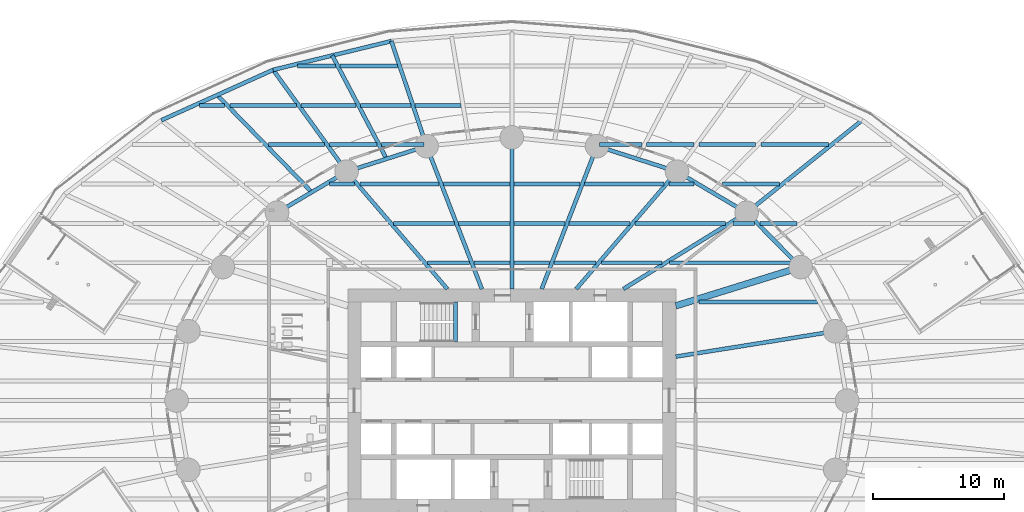
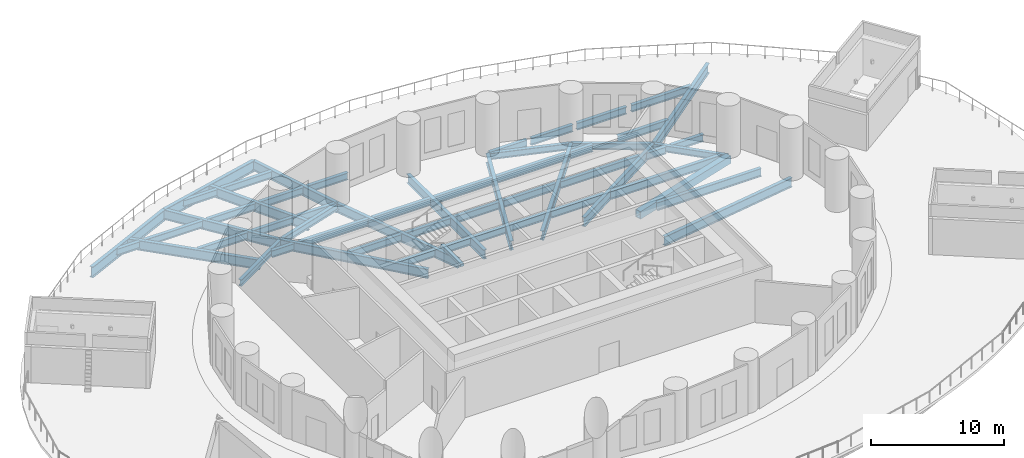
# One storey, part 4 of 17: 56 beams.
"""IFC4 building model written with IfcOpenShell, lengths in metres."""

from ifc_helpers import new_model, si_unit, direction, frame, origin, origin_2d, place, context, subcontext, project, spatial, rectangle, hollow_rectangle, i_section, extrude, material, material_profile, profile_set, type_object, element, save


model = new_model("IFC4")

# Units and contexts
model_context = context("Model", 3, precision=1e-05, world=origin(), true_north=direction((0.0, 1.0)))
body_context = subcontext(model_context, "Body", "Model", "MODEL_VIEW")
ifc_project = project(units=[si_unit("LENGTHUNIT", "METRE"), si_unit("AREAUNIT", "SQUARE_METRE"), si_unit("VOLUMEUNIT", "CUBIC_METRE"), si_unit("PLANEANGLEUNIT", "RADIAN"), si_unit("MASSUNIT", "GRAM", prefix="KILO")], contexts=[model_context])

# Site, building, storey
site_placement = place(None, origin())
site = spatial("IfcSite", under=ifc_project, at=site_placement, CompositionType="ELEMENT")
building_placement = place(site_placement, origin())
building = spatial("IfcBuilding", under=site, at=building_placement, Name="Hankou Lantern Tower", CompositionType="ELEMENT")
storey_placement = place(building_placement, frame((0.0, 0.0, 24.60009765625)))
storey = spatial("IfcBuildingStorey", under=building, at=storey_placement, Name="L04", CompositionType="ELEMENT", Elevation=24.60009765625)

# Beams
ifc_material_1 = material(Name="Steel Q355B", Category="steel")
ifc_material_profile_1 = material_profile(ifc_material_1, i_section(OverallWidth=0.300048828125, OverallDepth=0.587890625, WebThickness=0.011962890625, FlangeThickness=0.02001953125, FilletRadius=0.01806640625, at=origin_2d()), Name="HM588x300x12x20")
ifc_profile_set_1 = profile_set([ifc_material_profile_1], Name="Steel Q355B")
beam_type_1 = type_object("IfcBeamType", Name="EB16 RING BEAM HM588x300x12x20", PredefinedType="SPANDREL", material=ifc_profile_set_1)
beam_1_placement = place(storey_placement, frame((22.01904296875, 10.170166015625, -0.544189453125), z_axis=(-0.705727798394, 0.708483079949, 0.0), x_axis=(-0.708483079949, -0.705727798394, 0.0)))
element("IfcBeam", 1, at=beam_1_placement, inside=storey, type_object=beam_type_1, Name="Ring beam R03-R04 L04", PredefinedType="SPANDREL", context=body_context, shape_type="SweptSolid", body=[
    extrude(i_section(OverallWidth=0.300048828125, OverallDepth=0.587890625, WebThickness=0.011962890625, FlangeThickness=0.02001953125, FilletRadius=0.01806640625, at=origin_2d()), origin(), (0.0, 0.0, 1.0), 5.84814453125),
])
beam_2_placement = place(storey_placement, frame((17.891845703125, 14.3134765625, -0.544189453125), z_axis=(-0.860881533543, 0.508805449268, 0.0), x_axis=(-0.508805449268, -0.860881533543, 0.0)))
element("IfcBeam", 2, at=beam_2_placement, inside=storey, type_object=beam_type_1, Name="Ring beam R04-R05 L04", PredefinedType="SPANDREL", context=body_context, shape_type="SweptSolid", body=[
    extrude(i_section(OverallWidth=0.300048828125, OverallDepth=0.587890625, WebThickness=0.011962890625, FlangeThickness=0.02001953125, FilletRadius=0.01806640625, at=origin_2d()), origin(), (0.0, 0.0, 1.0), 6.15771484375),
])
for number, where, z_axis, x_axis, name in (
    (3, (12.5908203125, 17.446533203125, -0.544189453125), (-0.952690479428, 0.303942182671, 0.0), (-0.303942182671, -0.952690479428, 0.0), "Ring beam R05-R06 L04"),
    (4, (-6.494873046875, 19.391357421875, -0.544189453125), (-0.952690479428, -0.303942182671, 0.0), (0.303942182671, -0.952690479428, 0.0), "Ring beam R08-R09 L04"),
):
    element("IfcBeam", number, at=place(storey_placement, frame(where, z_axis=z_axis, x_axis=x_axis)), inside=storey, type_object=beam_type_1, Name=name, PredefinedType="SPANDREL", context=body_context, shape_type="SweptSolid", body=[
        extrude(i_section(OverallWidth=0.300048828125, OverallDepth=0.587890625, WebThickness=0.011962890625, FlangeThickness=0.02001953125, FilletRadius=0.01806640625, at=origin_2d()), origin(), (0.0, 0.0, 1.0), 6.398681640625),
    ])
beam_3_placement = place(storey_placement, frame((-12.5908203125, 17.446533203125, -0.544189453125), z_axis=(-0.860881533543, -0.508805449268, 0.0), x_axis=(0.508805449268, -0.860881533543, 0.0)))
element("IfcBeam", 5, at=beam_3_placement, inside=storey, type_object=beam_type_1, Name="Ring beam R09-R10 L04", PredefinedType="SPANDREL", context=body_context, shape_type="SweptSolid", body=[
    extrude(i_section(OverallWidth=0.300048828125, OverallDepth=0.587890625, WebThickness=0.011962890625, FlangeThickness=0.02001953125, FilletRadius=0.01806640625, at=origin_2d()), origin(), (0.0, 0.0, 1.0), 6.15771484375),
])
ifc_material_2 = material(Name="Concrete C40", Category="concrete")
ifc_material_profile_2 = material_profile(ifc_material_2, rectangle(XDim=0.300048828125, YDim=0.25, at=origin_2d()), Name="RC 300x250")
ifc_profile_set_2 = profile_set([ifc_material_profile_2], Name="Concrete C40")
beam_type_2 = type_object("IfcBeamType", Name="LB1 STAIR LANDING BEAM RC 300x250", PredefinedType="BEAM", material=ifc_profile_set_2)
beam_4_placement = place(storey_placement, frame((-4.300048828125, 4.5, 2.27490234375), z_axis=(0.0, 1.0, 0.0), x_axis=(-1.0, 0.0, 0.0)))
element("IfcBeam", 6, at=beam_4_placement, inside=storey, type_object=beam_type_2, Name="Stair STA landing beam L04", PredefinedType="BEAM", context=body_context, shape_type="SweptSolid", body=[
    extrude(rectangle(XDim=0.300048828125, YDim=0.25, at=origin_2d()), origin(), (0.0, 0.0, 1.0), 3.0),
])
ifc_material_3 = material(Name="Steel Q355B", Category="steel")
ifc_material_profile_3 = material_profile(ifc_material_3, i_section(OverallWidth=0.300048828125, OverallDepth=0.89990234375, WebThickness=0.01611328125, FlangeThickness=0.028076171875, FilletRadius=0.01806640625, at=origin_2d()), Name="HN900x300x16x28")
ifc_profile_set_3 = profile_set([ifc_material_profile_3], Name="Steel Q355B")
beam_type_3 = type_object("IfcBeamType", Name="PB13 PODIUM RADIAL BEAM HN900x300x16x28", PredefinedType="BEAM", material=ifc_profile_set_3)
beam_5_placement = place(storey_placement, frame((17.891845703125, 14.3134765625, -0.7001953125), z_axis=(0.780875142676, 0.624687130931, 0.0), x_axis=(-0.624687130931, 0.780875142676, 0.0)))
element("IfcBeam", 7, at=beam_5_placement, inside=storey, type_object=beam_type_3, Name="Podium radial beam R04 L04", PredefinedType="BEAM", context=body_context, shape_type="SweptSolid", body=[
    extrude(i_section(OverallWidth=0.300048828125, OverallDepth=0.89990234375, WebThickness=0.01611328125, FlangeThickness=0.028076171875, FilletRadius=0.01806640625, at=origin_2d()), origin(), (0.0, 0.0, 1.0), 11.28271484375),
])
beam_6_placement = place(storey_placement, frame((-6.494873046875, 19.391357421875, -0.7001953125), z_axis=(-0.317599116391, 0.948225079434, 0.0), x_axis=(-0.948225079434, -0.317599116391, 0.0)))
element("IfcBeam", 8, at=beam_6_placement, inside=storey, type_object=beam_type_3, Name="Podium radial beam R08 L04", PredefinedType="BEAM", context=body_context, shape_type="SweptSolid", body=[
    extrude(i_section(OverallWidth=0.300048828125, OverallDepth=0.89990234375, WebThickness=0.01611328125, FlangeThickness=0.028076171875, FilletRadius=0.01806640625, at=origin_2d()), origin(), (0.0, 0.0, 1.0), 8.4365234375),
])
beam_7_placement = place(storey_placement, frame((-12.5908203125, 17.446533203125, -0.7001953125), z_axis=(-0.585207097055, 0.810883871807, 0.0), x_axis=(-0.810883871807, -0.585207097055, 0.0)))
element("IfcBeam", 9, at=beam_7_placement, inside=storey, type_object=beam_type_3, Name="Podium radial beam R09 L04", PredefinedType="BEAM", context=body_context, shape_type="SweptSolid", body=[
    extrude(i_section(OverallWidth=0.300048828125, OverallDepth=0.89990234375, WebThickness=0.01611328125, FlangeThickness=0.028076171875, FilletRadius=0.01806640625, at=origin_2d()), origin(), (0.0, 0.0, 1.0), 9.56103515625),
])
ifc_material_4 = material(Name="Steel Q355B", Category="steel")
ifc_material_profile_4 = material_profile(ifc_material_4, i_section(OverallWidth=0.300048828125, OverallDepth=1.0, WebThickness=0.01904296875, FlangeThickness=0.035888671875, FilletRadius=0.01806640625, at=origin_2d()), Name="HN1000x300x19x36")
ifc_profile_set_4 = profile_set([ifc_material_profile_4], Name="Steel Q355B")
beam_type_4 = type_object("IfcBeamType", Name="PR22 PODIUM RING BEAM HN1000x300x19x36", PredefinedType="BEAM", material=ifc_profile_set_4)
beam_8_placement = place(storey_placement, frame((-9.17431640625, 27.39111328125, -0.75), z_axis=(-0.971677242441, -0.23631194748, 0.0), x_axis=(0.23631194748, -0.971677242441, 0.0)))
element("IfcBeam", 10, at=beam_8_placement, inside=storey, type_object=beam_type_4, Name="Podium ring beam R08-R09 L04", PredefinedType="BEAM", context=body_context, shape_type="SweptSolid", body=[
    extrude(i_section(OverallWidth=0.300048828125, OverallDepth=1.0, WebThickness=0.01904296875, FlangeThickness=0.035888671875, FilletRadius=0.01806640625, at=origin_2d()), origin(), (0.0, 0.0, 1.0), 9.2744140625),
])
beam_9_placement = place(storey_placement, frame((-18.18603515625, 25.199462890625, -0.75), z_axis=(-0.911695429723, -0.410866697874, 0.0), x_axis=(0.410866697874, -0.911695429723, 0.0)))
element("IfcBeam", 11, at=beam_9_placement, inside=storey, type_object=beam_type_4, Name="Podium ring beam R09-R10 L04", PredefinedType="BEAM", context=body_context, shape_type="SweptSolid", body=[
    extrude(i_section(OverallWidth=0.300048828125, OverallDepth=1.0, WebThickness=0.01904296875, FlangeThickness=0.035888671875, FilletRadius=0.01806640625, at=origin_2d()), origin(), (0.0, 0.0, 1.0), 9.341064453125),
])
ifc_material_5 = material(Name="Steel Q355B", Category="steel")
ifc_material_profile_5 = material_profile(ifc_material_5, i_section(OverallWidth=0.300048828125, OverallDepth=0.89990234375, WebThickness=0.01611328125, FlangeThickness=0.028076171875, FilletRadius=0.01806640625, at=origin_2d()), Name="HN900x300x16x28")
ifc_profile_set_5 = profile_set([ifc_material_profile_5], Name="Steel Q355B")
beam_type_5 = type_object("IfcBeamType", Name="PS13 PODIUM SECONDARY BEAM HN900x300x16x28", PredefinedType="JOIST", material=ifc_profile_set_5)
beam_10_placement = place(storey_placement, frame((-9.54296875, 18.4189453125, -0.7001953125), z_axis=(-0.465026961303, 0.88529651827, 0.0), x_axis=(-0.88529651827, -0.465026961303, 0.0)))
element("IfcBeam", 12, at=beam_10_placement, inside=storey, type_object=beam_type_5, Name="Podium secondary beam bay R08 L04", PredefinedType="JOIST", context=body_context, shape_type="SweptSolid", body=[
    extrude(i_section(OverallWidth=0.300048828125, OverallDepth=0.89990234375, WebThickness=0.01611328125, FlangeThickness=0.028076171875, FilletRadius=0.01806640625, at=origin_2d()), origin(), (0.0, 0.0, 1.0), 8.896728515625),
])
beam_11_placement = place(storey_placement, frame((-15.2412109375, 15.8798828125, -0.7001953125), z_axis=(-0.697467529957, 0.716616385981, 0.0), x_axis=(-0.716616385981, -0.697467529957, 0.0)))
element("IfcBeam", 13, at=beam_11_placement, inside=storey, type_object=beam_type_5, Name="Podium secondary beam bay R09 L04", PredefinedType="JOIST", context=body_context, shape_type="SweptSolid", body=[
    extrude(i_section(OverallWidth=0.300048828125, OverallDepth=0.89990234375, WebThickness=0.01611328125, FlangeThickness=0.028076171875, FilletRadius=0.01806640625, at=origin_2d()), origin(), (0.0, 0.0, 1.0), 10.3271484375),
])
ifc_material_6 = material(Name="Steel Q355B", Category="steel")
ifc_material_profile_6 = material_profile(ifc_material_6, i_section(OverallWidth=0.300048828125, OverallDepth=0.85009765625, WebThickness=0.01611328125, FlangeThickness=0.027099609375, FilletRadius=0.01806640625, at=origin_2d()), Name="HN850x300x16x27")
ifc_profile_set_6 = profile_set([ifc_material_profile_6], Name="Steel Q355B")
beam_type_6 = type_object("IfcBeamType", Name="RB12 RADIAL BEAM HN850x300x16x27", PredefinedType="BEAM", material=ifc_profile_set_6)
beam_12_placement = place(storey_placement, frame((12.5, 3.349365234375, -0.675048828125), z_axis=(0.987563081343, 0.157223281893, 0.0), x_axis=(-0.157223281893, 0.987563081343, 0.0)))
element("IfcBeam", 14, at=beam_12_placement, inside=storey, type_object=beam_type_6, Name="Radial beam R02 L04", PredefinedType="BEAM", context=body_context, shape_type="SweptSolid", body=[
    extrude(i_section(OverallWidth=0.300048828125, OverallDepth=0.85009765625, WebThickness=0.01611328125, FlangeThickness=0.027099609375, FilletRadius=0.01806640625, at=origin_2d()), origin(), (0.0, 0.0, 1.0), 12.300048828125),
])
beam_13_placement = place(storey_placement, frame((8.5, 8.5, -0.675048828125), z_axis=(0.850286343288, 0.526320372414, 0.0), x_axis=(-0.526320372414, 0.850286343288, 0.0)))
element("IfcBeam", 15, at=beam_13_placement, inside=storey, type_object=beam_type_6, Name="Radial beam R04 L04", PredefinedType="BEAM", context=body_context, shape_type="SweptSolid", body=[
    extrude(i_section(OverallWidth=0.300048828125, OverallDepth=0.85009765625, WebThickness=0.01611328125, FlangeThickness=0.027099609375, FilletRadius=0.01806640625, at=origin_2d()), origin(), (0.0, 0.0, 1.0), 11.04541015625),
])
beam_14_placement = place(storey_placement, frame((4.907470703125, 8.5, -0.675048828125), z_axis=(0.651519061225, 0.758632264579, 0.0), x_axis=(-0.758632264579, 0.651519061225, 0.0)))
element("IfcBeam", 16, at=beam_14_placement, inside=storey, type_object=beam_type_6, Name="Radial beam R05 L04", PredefinedType="BEAM", context=body_context, shape_type="SweptSolid", body=[
    extrude(i_section(OverallWidth=0.300048828125, OverallDepth=0.85009765625, WebThickness=0.01611328125, FlangeThickness=0.027099609375, FilletRadius=0.01806640625, at=origin_2d()), origin(), (0.0, 0.0, 1.0), 11.79296875),
])
beam_15_placement = place(storey_placement, frame((2.277587890625, 8.5, -0.675048828125), z_axis=(0.361089103374, 0.932531318201, 0.0), x_axis=(-0.932531318201, 0.361089103374, 0.0)))
element("IfcBeam", 17, at=beam_15_placement, inside=storey, type_object=beam_type_6, Name="Radial beam R06 L04", PredefinedType="BEAM", context=body_context, shape_type="SweptSolid", body=[
    extrude(i_section(OverallWidth=0.300048828125, OverallDepth=0.85009765625, WebThickness=0.01611328125, FlangeThickness=0.027099609375, FilletRadius=0.01806640625, at=origin_2d()), origin(), (0.0, 0.0, 1.0), 11.679443359375),
])
beam_16_placement = place(storey_placement, frame((0.0, 8.5, -0.675048828125), z_axis=(0.0, 1.0, 0.0), x_axis=(-1.0, 0.0, 0.0)))
element("IfcBeam", 18, at=beam_16_placement, inside=storey, type_object=beam_type_6, Name="Radial beam R07 L04", PredefinedType="BEAM", context=body_context, shape_type="SweptSolid", body=[
    extrude(i_section(OverallWidth=0.300048828125, OverallDepth=0.85009765625, WebThickness=0.01611328125, FlangeThickness=0.027099609375, FilletRadius=0.01806640625, at=origin_2d()), origin(), (0.0, 0.0, 1.0), 11.550048828125),
])
beam_17_placement = place(storey_placement, frame((-2.277587890625, 8.5, -0.675048828125), z_axis=(-0.361089103374, 0.932531318201, 0.0), x_axis=(-0.932531318201, -0.361089103374, 0.0)))
element("IfcBeam", 19, at=beam_17_placement, inside=storey, type_object=beam_type_6, Name="Radial beam R08 L04", PredefinedType="BEAM", context=body_context, shape_type="SweptSolid", body=[
    extrude(i_section(OverallWidth=0.300048828125, OverallDepth=0.85009765625, WebThickness=0.01611328125, FlangeThickness=0.027099609375, FilletRadius=0.01806640625, at=origin_2d()), origin(), (0.0, 0.0, 1.0), 11.679443359375),
])
beam_18_placement = place(storey_placement, frame((-4.907470703125, 8.5, -0.675048828125), z_axis=(-0.651519061225, 0.758632264579, 0.0), x_axis=(-0.758632264579, -0.651519061225, 0.0)))
element("IfcBeam", 20, at=beam_18_placement, inside=storey, type_object=beam_type_6, Name="Radial beam R09 L04", PredefinedType="BEAM", context=body_context, shape_type="SweptSolid", body=[
    extrude(i_section(OverallWidth=0.300048828125, OverallDepth=0.85009765625, WebThickness=0.01611328125, FlangeThickness=0.027099609375, FilletRadius=0.01806640625, at=origin_2d()), origin(), (0.0, 0.0, 1.0), 11.79296875),
])
ifc_material_7 = material(Name="Steel Q355B", Category="steel")
ifc_material_profile_7 = material_profile(ifc_material_7, hollow_rectangle(XDim=0.5, YDim=0.699951171875, WallThickness=0.0400390625, at=origin_2d()), Name="BOX700x500x40")
ifc_profile_set_7 = profile_set([ifc_material_profile_7], Name="Steel Q355B")
beam_type_7 = type_object("IfcBeamType", Name="RB25 RADIAL BEAM BOX700x500x40", PredefinedType="BEAM", material=ifc_profile_set_7)
beam_19_placement = place(storey_placement, frame((12.5, 7.216796875, -0.60009765625), z_axis=(0.955087327755, 0.29632447817, 0.0), x_axis=(-0.29632447817, 0.955087327755, 0.0)))
element("IfcBeam", 21, at=beam_19_placement, inside=storey, type_object=beam_type_7, Name="Radial beam R03 L04", PredefinedType="BEAM", context=body_context, shape_type="SweptSolid", body=[
    extrude(hollow_rectangle(XDim=0.5, YDim=0.699951171875, WallThickness=0.0400390625, at=origin_2d()), origin(), (0.0, 0.0, 1.0), 9.966552734375),
])
ifc_material_8 = material(Name="Steel Q355B", Category="steel")
ifc_material_profile_8 = material_profile(ifc_material_8, i_section(OverallWidth=0.300048828125, OverallDepth=0.75, WebThickness=0.012939453125, FlangeThickness=0.02392578125, FilletRadius=0.01806640625, at=origin_2d()), Name="HN750x300x13x24")
ifc_profile_set_8 = profile_set([ifc_material_profile_8], Name="Steel Q355B")
beam_type_8 = type_object("IfcBeamType", Name="SB10 SECONDARY BEAM HN750x300x13x24", PredefinedType="JOIST", material=ifc_profile_set_8)
beam_20_placement = place(storey_placement, frame((14.25634765625, 7.5, -0.625), z_axis=(1.0, 0.0, 0.0), x_axis=(0.0, 1.0, 0.0)))
element("IfcBeam", 22, at=beam_20_placement, inside=storey, type_object=beam_type_8, Name="Floor joist J038 L04", PredefinedType="JOIST", context=body_context, shape_type="SweptSolid", body=[
    extrude(i_section(OverallWidth=0.300048828125, OverallDepth=0.75, WebThickness=0.012939453125, FlangeThickness=0.02392578125, FilletRadius=0.01806640625, at=origin_2d()), origin(), (0.0, 0.0, 1.0), 9.0283203125),
])
beam_21_placement = place(storey_placement, frame((12.01611328125, 10.5, -0.625), z_axis=(1.0, 0.0, 0.0), x_axis=(0.0, 1.0, 0.0)))
element("IfcBeam", 23, at=beam_21_placement, inside=storey, type_object=beam_type_8, Name="Floor joist J046 L04", PredefinedType="JOIST", context=body_context, shape_type="SweptSolid", body=[
    extrude(i_section(OverallWidth=0.300048828125, OverallDepth=0.75, WebThickness=0.012939453125, FlangeThickness=0.02392578125, FilletRadius=0.01806640625, at=origin_2d()), origin(), (0.0, 0.0, 1.0), 9.462646484375),
])
ifc_material_9 = material(Name="Steel Q355B", Category="steel")
ifc_material_profile_9 = material_profile(ifc_material_9, i_section(OverallWidth=0.300048828125, OverallDepth=0.64990234375, WebThickness=0.010986328125, FlangeThickness=0.01708984375, FilletRadius=0.01806640625, at=origin_2d()), Name="HN650x300x11x17")
ifc_profile_set_9 = profile_set([ifc_material_profile_9], Name="Steel Q355B")
beam_type_9 = type_object("IfcBeamType", Name="SB8 SECONDARY BEAM HN650x300x11x17", PredefinedType="JOIST", material=ifc_profile_set_9)
beam_22_placement = place(storey_placement, frame((-6.427490234375, 10.5, -0.5751953125), z_axis=(1.0, 0.0, 0.0), x_axis=(0.0, 1.0, 0.0)))
element("IfcBeam", 24, at=beam_22_placement, inside=storey, type_object=beam_type_9, Name="Floor joist J041 L04", PredefinedType="JOIST", context=body_context, shape_type="SweptSolid", body=[
    extrude(i_section(OverallWidth=0.300048828125, OverallDepth=0.64990234375, WebThickness=0.010986328125, FlangeThickness=0.01708984375, FilletRadius=0.01806640625, at=origin_2d()), origin(), (0.0, 0.0, 1.0), 3.214599609375),
])
for number, where, z_axis, x_axis, name in (
    (25, (-2.89111328125, 10.5, -0.5751953125), (1.0, 0.0, 0.0), (0.0, 1.0, 0.0), "Floor joist J042 L04"),
    (26, (0.14990234375, 10.5, -0.5751953125), (1.0, 0.0, 0.0), (0.0, 1.0, 0.0), "Floor joist J043 L04"),
):
    element("IfcBeam", number, at=place(storey_placement, frame(where, z_axis=z_axis, x_axis=x_axis)), inside=storey, type_object=beam_type_9, Name=name, PredefinedType="JOIST", context=body_context, shape_type="SweptSolid", body=[
        extrude(i_section(OverallWidth=0.300048828125, OverallDepth=0.64990234375, WebThickness=0.010986328125, FlangeThickness=0.01708984375, FilletRadius=0.01806640625, at=origin_2d()), origin(), (0.0, 0.0, 1.0), 2.7412109375),
    ])
beam_23_placement = place(storey_placement, frame((3.212890625, 10.5, -0.5751953125), z_axis=(1.0, 0.0, 0.0), x_axis=(0.0, 1.0, 0.0)))
element("IfcBeam", 27, at=beam_23_placement, inside=storey, type_object=beam_type_9, Name="Floor joist J044 L04", PredefinedType="JOIST", context=body_context, shape_type="SweptSolid", body=[
    extrude(i_section(OverallWidth=0.300048828125, OverallDepth=0.64990234375, WebThickness=0.010986328125, FlangeThickness=0.01708984375, FilletRadius=0.01806640625, at=origin_2d()), origin(), (0.0, 0.0, 1.0), 3.214599609375),
])
beam_24_placement = place(storey_placement, frame((6.82275390625, 10.5, -0.5751953125), z_axis=(1.0, 0.0, 0.0), x_axis=(0.0, 1.0, 0.0)))
element("IfcBeam", 28, at=beam_24_placement, inside=storey, type_object=beam_type_9, Name="Floor joist J045 L04", PredefinedType="JOIST", context=body_context, shape_type="SweptSolid", body=[
    extrude(i_section(OverallWidth=0.300048828125, OverallDepth=0.64990234375, WebThickness=0.010986328125, FlangeThickness=0.01708984375, FilletRadius=0.01806640625, at=origin_2d()), origin(), (0.0, 0.0, 1.0), 4.623291015625),
])
beam_25_placement = place(storey_placement, frame((-9.00390625, 13.5, -0.5751953125), z_axis=(1.0, 0.0, 0.0), x_axis=(0.0, 1.0, 0.0)))
element("IfcBeam", 29, at=beam_25_placement, inside=storey, type_object=beam_type_9, Name="Floor joist J049 L04", PredefinedType="JOIST", context=body_context, shape_type="SweptSolid", body=[
    extrude(i_section(OverallWidth=0.300048828125, OverallDepth=0.64990234375, WebThickness=0.010986328125, FlangeThickness=0.01708984375, FilletRadius=0.01806640625, at=origin_2d()), origin(), (0.0, 0.0, 1.0), 4.62939453125),
])
for number, where, z_axis, x_axis, name in (
    (30, (-4.052734375, 13.5, -0.5751953125), (1.0, 0.0, 0.0), (0.0, 1.0, 0.0), "Floor joist J050 L04"),
    (31, (0.14990234375, 13.5, -0.5751953125), (1.0, 0.0, 0.0), (0.0, 1.0, 0.0), "Floor joist J051 L04"),
):
    element("IfcBeam", number, at=place(storey_placement, frame(where, z_axis=z_axis, x_axis=x_axis)), inside=storey, type_object=beam_type_9, Name=name, PredefinedType="JOIST", context=body_context, shape_type="SweptSolid", body=[
        extrude(i_section(OverallWidth=0.300048828125, OverallDepth=0.64990234375, WebThickness=0.010986328125, FlangeThickness=0.01708984375, FilletRadius=0.01806640625, at=origin_2d()), origin(), (0.0, 0.0, 1.0), 3.90283203125),
    ])
beam_26_placement = place(storey_placement, frame((4.37451171875, 13.5, -0.5751953125), z_axis=(1.0, 0.0, 0.0), x_axis=(0.0, 1.0, 0.0)))
element("IfcBeam", 32, at=beam_26_placement, inside=storey, type_object=beam_type_9, Name="Floor joist J052 L04", PredefinedType="JOIST", context=body_context, shape_type="SweptSolid", body=[
    extrude(i_section(OverallWidth=0.300048828125, OverallDepth=0.64990234375, WebThickness=0.010986328125, FlangeThickness=0.01708984375, FilletRadius=0.01806640625, at=origin_2d()), origin(), (0.0, 0.0, 1.0), 4.62939453125),
])
beam_27_placement = place(storey_placement, frame((9.3994140625, 13.5, -0.5751953125), z_axis=(1.0, 0.0, 0.0), x_axis=(0.0, 1.0, 0.0)))
element("IfcBeam", 33, at=beam_27_placement, inside=storey, type_object=beam_type_9, Name="Floor joist J053 L04", PredefinedType="JOIST", context=body_context, shape_type="SweptSolid", body=[
    extrude(i_section(OverallWidth=0.300048828125, OverallDepth=0.64990234375, WebThickness=0.010986328125, FlangeThickness=0.01708984375, FilletRadius=0.01806640625, at=origin_2d()), origin(), (0.0, 0.0, 1.0), 6.893310546875),
])
beam_28_placement = place(storey_placement, frame((16.86279296875, 13.5, -0.5751953125), z_axis=(1.0, 0.0, 0.0), x_axis=(0.0, 1.0, 0.0)))
element("IfcBeam", 34, at=beam_28_placement, inside=storey, type_object=beam_type_9, Name="Floor joist J054 L04", PredefinedType="JOIST", context=body_context, shape_type="SweptSolid", body=[
    extrude(i_section(OverallWidth=0.300048828125, OverallDepth=0.64990234375, WebThickness=0.010986328125, FlangeThickness=0.01708984375, FilletRadius=0.01806640625, at=origin_2d()), origin(), (0.0, 0.0, 1.0), 1.62744140625),
])
beam_29_placement = place(storey_placement, frame((-13.8974609375, 16.5, -0.5751953125), z_axis=(1.0, 0.0, 0.0), x_axis=(0.0, 1.0, 0.0)))
element("IfcBeam", 35, at=beam_29_placement, inside=storey, type_object=beam_type_9, Name="Floor joist J055 L04", PredefinedType="JOIST", context=body_context, shape_type="SweptSolid", body=[
    extrude(i_section(OverallWidth=0.300048828125, OverallDepth=0.64990234375, WebThickness=0.010986328125, FlangeThickness=0.01708984375, FilletRadius=0.01806640625, at=origin_2d()), origin(), (0.0, 0.0, 1.0), 1.921630859375),
])
beam_30_placement = place(storey_placement, frame((-11.580322265625, 16.5, -0.5751953125), z_axis=(1.0, 0.0, 0.0), x_axis=(0.0, 1.0, 0.0)))
element("IfcBeam", 36, at=beam_30_placement, inside=storey, type_object=beam_type_9, Name="Floor joist J056 L04", PredefinedType="JOIST", context=body_context, shape_type="SweptSolid", body=[
    extrude(i_section(OverallWidth=0.300048828125, OverallDepth=0.64990234375, WebThickness=0.010986328125, FlangeThickness=0.01708984375, FilletRadius=0.01806640625, at=origin_2d()), origin(), (0.0, 0.0, 1.0), 6.044189453125),
])
for number, where, z_axis, x_axis, name in (
    (37, (-5.21435546875, 16.5, -0.5751953125), (1.0, 0.0, 0.0), (0.0, 1.0, 0.0), "Floor joist J057 L04"),
    (38, (0.14990234375, 16.5, -0.5751953125), (1.0, 0.0, 0.0), (0.0, 1.0, 0.0), "Floor joist J058 L04"),
):
    element("IfcBeam", number, at=place(storey_placement, frame(where, z_axis=z_axis, x_axis=x_axis)), inside=storey, type_object=beam_type_9, Name=name, PredefinedType="JOIST", context=body_context, shape_type="SweptSolid", body=[
        extrude(i_section(OverallWidth=0.300048828125, OverallDepth=0.64990234375, WebThickness=0.010986328125, FlangeThickness=0.01708984375, FilletRadius=0.01806640625, at=origin_2d()), origin(), (0.0, 0.0, 1.0), 5.064453125),
    ])
beam_31_placement = place(storey_placement, frame((5.5361328125, 16.5, -0.5751953125), z_axis=(1.0, 0.0, 0.0), x_axis=(0.0, 1.0, 0.0)))
element("IfcBeam", 39, at=beam_31_placement, inside=storey, type_object=beam_type_9, Name="Floor joist J059 L04", PredefinedType="JOIST", context=body_context, shape_type="SweptSolid", body=[
    extrude(i_section(OverallWidth=0.300048828125, OverallDepth=0.64990234375, WebThickness=0.010986328125, FlangeThickness=0.01708984375, FilletRadius=0.01806640625, at=origin_2d()), origin(), (0.0, 0.0, 1.0), 6.044189453125),
])
beam_32_placement = place(storey_placement, frame((11.975830078125, 16.5, -0.5751953125), z_axis=(1.0, 0.0, 0.0), x_axis=(0.0, 1.0, 0.0)))
element("IfcBeam", 40, at=beam_32_placement, inside=storey, type_object=beam_type_9, Name="Floor joist J060 L04", PredefinedType="JOIST", context=body_context, shape_type="SweptSolid", body=[
    extrude(i_section(OverallWidth=0.300048828125, OverallDepth=0.64990234375, WebThickness=0.010986328125, FlangeThickness=0.01708984375, FilletRadius=0.01806640625, at=origin_2d()), origin(), (0.0, 0.0, 1.0), 1.921630859375),
])
beam_33_placement = place(storey_placement, frame((18.913818359375, 13.5, -0.5751953125), z_axis=(1.0, 0.0, 0.0), x_axis=(0.0, 1.0, 0.0)))
element("IfcBeam", 41, at=beam_33_placement, inside=storey, type_object=beam_type_9, Name="Floor joist JT066 L04", PredefinedType="JOIST", context=body_context, shape_type="SweptSolid", body=[
    extrude(i_section(OverallWidth=0.300048828125, OverallDepth=0.64990234375, WebThickness=0.010986328125, FlangeThickness=0.01708984375, FilletRadius=0.01806640625, at=origin_2d()), origin(), (0.0, 0.0, 1.0), 2.832275390625),
])
beam_34_placement = place(storey_placement, frame((16.05419921875, 16.5, -0.5751953125), z_axis=(1.0, 0.0, 0.0), x_axis=(0.0, 1.0, 0.0)))
element("IfcBeam", 42, at=beam_34_placement, inside=storey, type_object=beam_type_9, Name="Floor joist JT072 L04", PredefinedType="JOIST", context=body_context, shape_type="SweptSolid", body=[
    extrude(i_section(OverallWidth=0.300048828125, OverallDepth=0.64990234375, WebThickness=0.010986328125, FlangeThickness=0.01708984375, FilletRadius=0.01806640625, at=origin_2d()), origin(), (0.0, 0.0, 1.0), 4.33056640625),
])
beam_35_placement = place(storey_placement, frame((-18.55517578125, 19.5, -0.5751953125), z_axis=(1.0, 0.0, 0.0), x_axis=(0.0, 1.0, 0.0)))
element("IfcBeam", 43, at=beam_35_placement, inside=storey, type_object=beam_type_9, Name="Floor joist JT077 L04", PredefinedType="JOIST", context=body_context, shape_type="SweptSolid", body=[
    extrude(i_section(OverallWidth=0.300048828125, OverallDepth=0.64990234375, WebThickness=0.010986328125, FlangeThickness=0.01708984375, FilletRadius=0.01806640625, at=origin_2d()), origin(), (0.0, 0.0, 1.0), 4.29736328125),
])
beam_36_placement = place(storey_placement, frame((-13.887939453125, 19.5, -0.5751953125), z_axis=(1.0, 0.0, 0.0), x_axis=(0.0, 1.0, 0.0)))
element("IfcBeam", 44, at=beam_36_placement, inside=storey, type_object=beam_type_9, Name="Floor joist JT078 L04", PredefinedType="JOIST", context=body_context, shape_type="SweptSolid", body=[
    extrude(i_section(OverallWidth=0.300048828125, OverallDepth=0.64990234375, WebThickness=0.010986328125, FlangeThickness=0.01708984375, FilletRadius=0.01806640625, at=origin_2d()), origin(), (0.0, 0.0, 1.0), 3.607666015625),
])
for number, where, z_axis, x_axis, name in (
    (45, (-9.94140625, 19.5, -0.5751953125), (1.0, 0.0, 0.0), (0.0, 1.0, 0.0), "Floor joist JT079 L04"),
    (46, (6.689453125, 19.5, -0.5751953125), (1.0, 0.0, 0.0), (0.0, 1.0, 0.0), "Floor joist JT080 L04"),
):
    element("IfcBeam", number, at=place(storey_placement, frame(where, z_axis=z_axis, x_axis=x_axis)), inside=storey, type_object=beam_type_9, Name=name, PredefinedType="JOIST", context=body_context, shape_type="SweptSolid", body=[
        extrude(i_section(OverallWidth=0.300048828125, OverallDepth=0.64990234375, WebThickness=0.010986328125, FlangeThickness=0.01708984375, FilletRadius=0.01806640625, at=origin_2d()), origin(), (0.0, 0.0, 1.0), 3.251953125),
    ])
beam_37_placement = place(storey_placement, frame((10.2802734375, 19.5, -0.5751953125), z_axis=(1.0, 0.0, 0.0), x_axis=(0.0, 1.0, 0.0)))
element("IfcBeam", 47, at=beam_37_placement, inside=storey, type_object=beam_type_9, Name="Floor joist JT081 L04", PredefinedType="JOIST", context=body_context, shape_type="SweptSolid", body=[
    extrude(i_section(OverallWidth=0.300048828125, OverallDepth=0.64990234375, WebThickness=0.010986328125, FlangeThickness=0.01708984375, FilletRadius=0.01806640625, at=origin_2d()), origin(), (0.0, 0.0, 1.0), 3.607666015625),
])
beam_38_placement = place(storey_placement, frame((14.2578125, 19.5, -0.5751953125), z_axis=(1.0, 0.0, 0.0), x_axis=(0.0, 1.0, 0.0)))
element("IfcBeam", 48, at=beam_38_placement, inside=storey, type_object=beam_type_9, Name="Floor joist JT082 L04", PredefinedType="JOIST", context=body_context, shape_type="SweptSolid", body=[
    extrude(i_section(OverallWidth=0.300048828125, OverallDepth=0.64990234375, WebThickness=0.010986328125, FlangeThickness=0.01708984375, FilletRadius=0.01806640625, at=origin_2d()), origin(), (0.0, 0.0, 1.0), 4.29736328125),
])
beam_39_placement = place(storey_placement, frame((18.973876953125, 19.5, -0.5751953125), z_axis=(1.0, 0.0, 0.0), x_axis=(0.0, 1.0, 0.0)))
element("IfcBeam", 49, at=beam_39_placement, inside=storey, type_object=beam_type_9, Name="Floor joist JT083 L04", PredefinedType="JOIST", context=body_context, shape_type="SweptSolid", body=[
    extrude(i_section(OverallWidth=0.300048828125, OverallDepth=0.64990234375, WebThickness=0.010986328125, FlangeThickness=0.01708984375, FilletRadius=0.01806640625, at=origin_2d()), origin(), (0.0, 0.0, 1.0), 5.160888671875),
])
beam_40_placement = place(storey_placement, frame((-23.81103515625, 22.5, -0.5751953125), z_axis=(1.0, 0.0, 0.0), x_axis=(0.0, 1.0, 0.0)))
element("IfcBeam", 50, at=beam_40_placement, inside=storey, type_object=beam_type_9, Name="Floor joist JT085 L04", PredefinedType="JOIST", context=body_context, shape_type="SweptSolid", body=[
    extrude(i_section(OverallWidth=0.300048828125, OverallDepth=0.64990234375, WebThickness=0.010986328125, FlangeThickness=0.01708984375, FilletRadius=0.01806640625, at=origin_2d()), origin(), (0.0, 0.0, 1.0), 1.917236328125),
])
beam_41_placement = place(storey_placement, frame((-21.47509765625, 22.5, -0.5751953125), z_axis=(1.0, 0.0, 0.0), x_axis=(0.0, 1.0, 0.0)))
element("IfcBeam", 51, at=beam_41_placement, inside=storey, type_object=beam_type_9, Name="Floor joist JT086 L04", PredefinedType="JOIST", context=body_context, shape_type="SweptSolid", body=[
    extrude(i_section(OverallWidth=0.300048828125, OverallDepth=0.64990234375, WebThickness=0.010986328125, FlangeThickness=0.01708984375, FilletRadius=0.01806640625, at=origin_2d()), origin(), (0.0, 0.0, 1.0), 5.052001953125),
])
beam_42_placement = place(storey_placement, frame((-16.052978515625, 22.5, -0.5751953125), z_axis=(1.0, 0.0, 0.0), x_axis=(0.0, 1.0, 0.0)))
element("IfcBeam", 52, at=beam_42_placement, inside=storey, type_object=beam_type_9, Name="Floor joist JT087 L04", PredefinedType="JOIST", context=body_context, shape_type="SweptSolid", body=[
    extrude(i_section(OverallWidth=0.300048828125, OverallDepth=0.64990234375, WebThickness=0.010986328125, FlangeThickness=0.01708984375, FilletRadius=0.01806640625, at=origin_2d()), origin(), (0.0, 0.0, 1.0), 4.197021484375),
])
beam_43_placement = place(storey_placement, frame((-11.51708984375, 22.5, -0.5751953125), z_axis=(1.0, 0.0, 0.0), x_axis=(0.0, 1.0, 0.0)))
element("IfcBeam", 53, at=beam_43_placement, inside=storey, type_object=beam_type_9, Name="Floor joist JT088 L04", PredefinedType="JOIST", context=body_context, shape_type="SweptSolid", body=[
    extrude(i_section(OverallWidth=0.300048828125, OverallDepth=0.64990234375, WebThickness=0.010986328125, FlangeThickness=0.01708984375, FilletRadius=0.01806640625, at=origin_2d()), origin(), (0.0, 0.0, 1.0), 3.82275390625),
])
beam_44_placement = place(storey_placement, frame((-7.3779296875, 22.5, -0.5751953125), z_axis=(1.0, 0.0, 0.0), x_axis=(0.0, 1.0, 0.0)))
element("IfcBeam", 54, at=beam_44_placement, inside=storey, type_object=beam_type_9, Name="Floor joist JT089 L04", PredefinedType="JOIST", context=body_context, shape_type="SweptSolid", body=[
    extrude(i_section(OverallWidth=0.300048828125, OverallDepth=0.64990234375, WebThickness=0.010986328125, FlangeThickness=0.01708984375, FilletRadius=0.01806640625, at=origin_2d()), origin(), (0.0, 0.0, 1.0), 3.514404296875),
])
beam_45_placement = place(storey_placement, frame((-16.3154296875, 25.5, -0.5751953125), z_axis=(1.0, 0.0, 0.0), x_axis=(0.0, 1.0, 0.0)))
element("IfcBeam", 55, at=beam_45_placement, inside=storey, type_object=beam_type_9, Name="Floor joist JT097 L04", PredefinedType="JOIST", context=body_context, shape_type="SweptSolid", body=[
    extrude(i_section(OverallWidth=0.300048828125, OverallDepth=0.64990234375, WebThickness=0.010986328125, FlangeThickness=0.01708984375, FilletRadius=0.01806640625, at=origin_2d()), origin(), (0.0, 0.0, 1.0), 2.883544921875),
])
beam_46_placement = place(storey_placement, frame((-13.093017578125, 25.5, -0.5751953125), z_axis=(1.0, 0.0, 0.0), x_axis=(0.0, 1.0, 0.0)))
element("IfcBeam", 56, at=beam_46_placement, inside=storey, type_object=beam_type_9, Name="Floor joist JT098 L04", PredefinedType="JOIST", context=body_context, shape_type="SweptSolid", body=[
    extrude(i_section(OverallWidth=0.300048828125, OverallDepth=0.64990234375, WebThickness=0.010986328125, FlangeThickness=0.01708984375, FilletRadius=0.01806640625, at=origin_2d()), origin(), (0.0, 0.0, 1.0), 4.39404296875),
])

save(model, "model.ifc")
